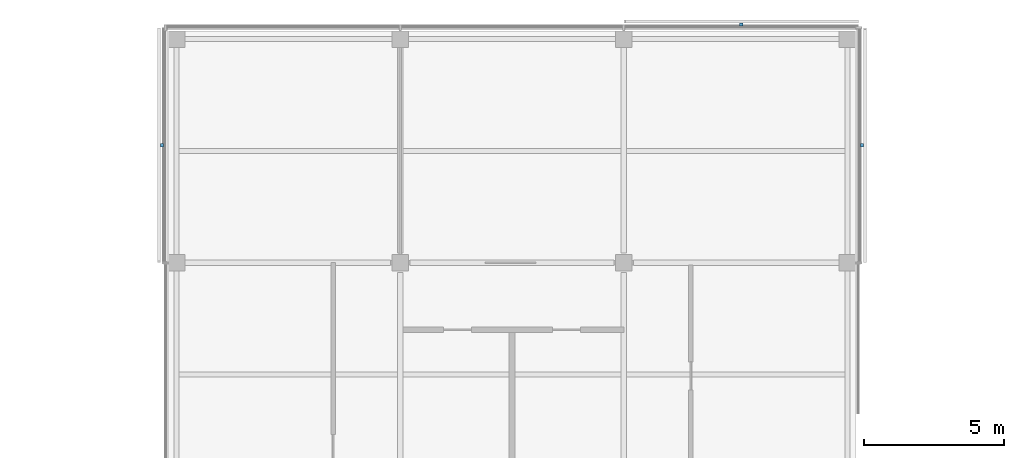
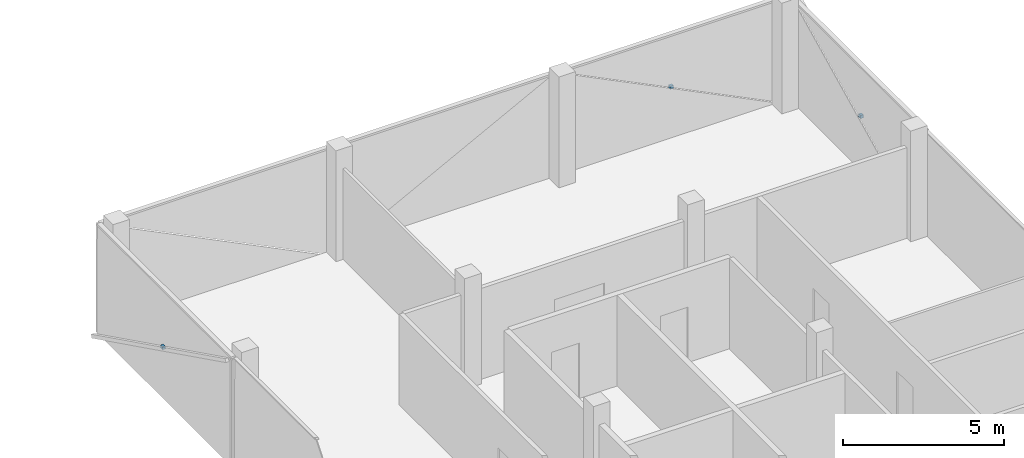
# One storey, part 15 of 16: 3 discrete accessories.
"""IFC4 building model written with IfcOpenShell, lengths in metres."""

from ifc_helpers import new_model, si_unit, direction, frame, origin, origin_2d, place, context, subcontext, project, spatial, rectangle, extrude, material, type_object, element, save


model = new_model("IFC4")

# Units and contexts
model_context = context("Model", 3, precision=1e-05, world=origin(), true_north=direction((0.0, 1.0)))
body_context = subcontext(model_context, "Body", "Model", "MODEL_VIEW")
ifc_project = project(units=[si_unit("LENGTHUNIT", "METRE"), si_unit("AREAUNIT", "SQUARE_METRE"), si_unit("VOLUMEUNIT", "CUBIC_METRE"), si_unit("PLANEANGLEUNIT", "RADIAN"), si_unit("MASSUNIT", "GRAM", prefix="KILO")], contexts=[model_context])

# Site, building, storey
site_placement = place(None, origin())
site = spatial("IfcSite", under=ifc_project, at=site_placement, CompositionType="ELEMENT")
building_placement = place(site_placement, origin())
building = spatial("IfcBuilding", under=site, at=building_placement, Name="Crosswind Convention Tower", CompositionType="ELEMENT")
storey_placement = place(building_placement, frame((0.0, 0.0, 295.5)))
storey = spatial("IfcBuildingStorey", under=building, at=storey_placement, Name="L64", CompositionType="ELEMENT", Elevation=295.5)

# Discrete accessories
ifc_material = material(Name="Stainless steel", Category="steel")
discrete_accessory_type = type_object("IfcDiscreteAccessoryType", Name="BAGUETTE BRACKET BK3", PredefinedType="BRACKET", material=ifc_material)
for number, where, z_axis, x_axis, name in (
    (1, (137.52587890625, 124.205078125, 1.704833984375), (0.0, 0.0, 1.0), (0.0, 1.0, 0.0), "BK3 baguette bracket"),
    (2, (133.205078125, 128.52587890625, 1.704833984375), (0.0, 0.0, 1.0), (-1.0, 0.0, 0.0), "BK3 baguette bracket"),
    (3, (112.47412109375, 124.205078125, 1.704833984375), (0.0, 0.0, 1.0), (0.0, -1.0, 0.0), "BK3 baguette bracket"),
):
    element("IfcDiscreteAccessory", number, at=place(storey_placement, frame(where, z_axis=z_axis, x_axis=x_axis)), inside=storey, type_object=discrete_accessory_type, Name=name, PredefinedType="BRACKET", context=body_context, shape_type="SweptSolid", body=[
        extrude(rectangle(XDim=0.1201171875, YDim=0.10009765625, at=origin_2d()), origin(), (0.0, 0.0, 1.0), 0.1201171875),
    ])

save(model, "model.ifc")
